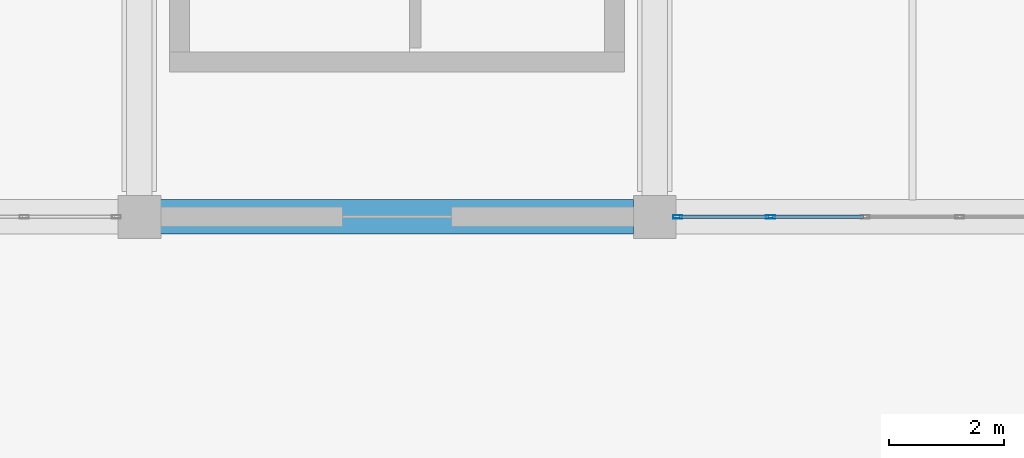
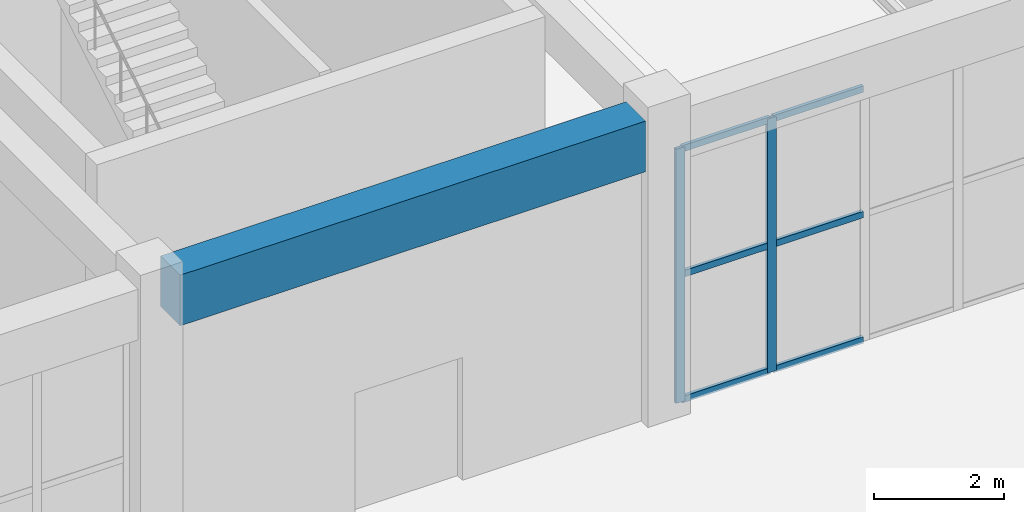
# One storey, part 33 of 91: 8 members, 1 beam, 1 element without a shape of its own.
"""IFC4 building model written with IfcOpenShell, lengths in metres."""

import ifcopenshell
import ifcopenshell.guid

model = None  # the IFC model being written
_history = None  # IfcOwnerHistory: only IFC2X3 demands one
_inside = {}  # id of a spatial element -> (the spatial element, [elements in it])
_under = {}  # id of a project, library or spatial element -> (it, [spatial elements below it])
_declared = {}  # id of a project -> (the project, [libraries it declares])
_typed = {}  # id of a type object -> (the type object, [elements of that type])
_made_of = {}  # id of a material, layer set ... -> (it, [elements and type objects made of it])


def new_model(schema):
    """Start an empty IFC model of exactly this schema.

    Asked for "IFC4X3", IfcOpenShell would pick the latest addendum, in which some entities
    have other attributes; the version numbers below select the first issue.
    IFC2X3 requires an IfcOwnerHistory on every rooted entity: one is made here for all.
    """
    global model, _history
    if schema == "IFC4X3":
        model = ifcopenshell.file(schema_version=(4, 3, 0, 0))
    else:
        model = ifcopenshell.file(schema=schema)
    _inside.clear()
    _under.clear()
    _declared.clear()
    _typed.clear()
    _made_of.clear()
    _history = None
    if model.schema == "IFC2X3":
        org = make("IfcOrganization", Name="unknown")
        user = make(
            "IfcPersonAndOrganization",
            ThePerson=make("IfcPerson", FamilyName="unknown"),
            TheOrganization=org,
        )
        app = make(
            "IfcApplication",
            ApplicationDeveloper=org,
            Version="unknown",
            ApplicationFullName="unknown",
            ApplicationIdentifier="unknown",
        )
        _history = make(
            "IfcOwnerHistory",
            OwningUser=user,
            OwningApplication=app,
            ChangeAction="ADDED",
            CreationDate=0,
        )
    return model


def make(cls, **values):
    """One entity of the class cls with the attributes given. An attribute that is None is left unset."""
    return model.create_entity(
        cls, **{name: value for name, value in values.items() if value is not None}
    )


def rooted(cls, **values):
    """An entity with a GlobalId (a new one), such as an element, a storey or a relation."""
    return make(cls, GlobalId=ifcopenshell.guid.new(), OwnerHistory=_history, **values)


def si_unit(unit_type, name, prefix=None):
    """IfcSIUnit, for example si_unit("LENGTHUNIT", "METRE", prefix="MILLI")."""
    return make("IfcSIUnit", UnitType=unit_type, Prefix=prefix, Name=name)


def assignment(units):
    """IfcUnitAssignment: the units of a project."""
    return None if units is None else make("IfcUnitAssignment", Units=units)


def point(xyz):
    """IfcCartesianPoint."""
    return None if xyz is None else make("IfcCartesianPoint", Coordinates=xyz)


def direction(xyz):
    """IfcDirection."""
    return None if xyz is None else make("IfcDirection", DirectionRatios=xyz)


def frame(location, z_axis=None, x_axis=None):
    """IfcAxis2Placement3D, a coordinate frame: its origin and axes. An axis left out is left unset."""
    return make(
        "IfcAxis2Placement3D",
        Location=point(location),
        Axis=direction(z_axis),
        RefDirection=direction(x_axis),
    )


def frame_2d(location, x_axis=None):
    """IfcAxis2Placement2D, a coordinate frame in the plane: its origin and x axis."""
    return make(
        "IfcAxis2Placement2D", Location=point(location), RefDirection=direction(x_axis)
    )


def origin():
    """The frame at (0, 0, 0) with its axes left unset."""
    return frame((0.0, 0.0, 0.0))


def origin_2d():
    """The frame at (0, 0) in the plane with its x axis left unset."""
    return frame_2d((0.0, 0.0))


def place(relative_to, where):
    """IfcLocalPlacement: puts the frame where relative to a parent placement (None: the world)."""
    return make(
        "IfcLocalPlacement", PlacementRelTo=relative_to, RelativePlacement=where
    )


def context(
    kind, dimensions, precision=None, world=None, true_north=None, identifier=None
):
    """IfcGeometricRepresentationContext, for example the 3D "Model" context."""
    return make(
        "IfcGeometricRepresentationContext",
        ContextIdentifier=identifier,
        ContextType=kind,
        CoordinateSpaceDimension=dimensions,
        Precision=precision,
        WorldCoordinateSystem=world,
        TrueNorth=true_north,
    )


def subcontext(parent, identifier, kind, view, scale=None):
    """IfcGeometricRepresentationSubContext, for example "Body" below "Model"."""
    return make(
        "IfcGeometricRepresentationSubContext",
        ContextIdentifier=identifier,
        ContextType=kind,
        ParentContext=parent,
        TargetScale=scale,
        TargetView=view,
    )


def project(units=None, contexts=None):
    """IfcProject with its units and contexts."""
    return rooted(
        "IfcProject",
        Name="project",
        RepresentationContexts=contexts,
        UnitsInContext=assignment(units),
    )


def spatial(cls, under=None, at=None, **own):
    """A site, building, storey or space (cls), placed at a placement, below another one or the project."""
    s = rooted(cls, ObjectPlacement=at, **own)
    if under is not None:
        _under.setdefault(under.id(), (under, []))[1].append(s)
    return s


def profile(cls, at=None, kind="AREA", **sizes):
    """A parametric profile (cls). Its sizes go by their IFC names, for example OverallWidth=200.0."""
    return make(cls, ProfileType=kind, Position=at, **sizes)


def rectangle(**sizes):
    """IfcRectangleProfileDef."""
    return profile("IfcRectangleProfileDef", **sizes)


def hollow_rectangle(**sizes):
    """IfcRectangleHollowProfileDef."""
    return profile("IfcRectangleHollowProfileDef", **sizes)


def extrude(swept, where, along, depth):
    """IfcExtrudedAreaSolid: the profile swept, set in the frame where, extruded along a direction by depth."""
    return make(
        "IfcExtrudedAreaSolid",
        SweptArea=swept,
        Position=where,
        ExtrudedDirection=direction(along),
        Depth=depth,
    )


def shape(context_of_items, identifier, shape_type, items):
    """IfcShapeRepresentation: the items that make up one representation, for example the "Body"."""
    return make(
        "IfcShapeRepresentation",
        ContextOfItems=context_of_items,
        RepresentationIdentifier=identifier,
        RepresentationType=shape_type,
        Items=items,
    )


def material(Name=None, Category=None):
    """IfcMaterial."""
    return make("IfcMaterial", Name=Name, Category=Category)


def layer(
    of_material, thickness, ventilated=None, Name=None, Category=None, Priority=None
):
    """IfcMaterialLayer: one layer of a wall or slab, of a material (None: an air gap)."""
    return make(
        "IfcMaterialLayer",
        Material=of_material,
        LayerThickness=thickness,
        IsVentilated=ventilated,
        Name=Name,
        Category=Category,
        Priority=Priority,
    )


def layer_set(layers, Name=None):
    """IfcMaterialLayerSet."""
    return make("IfcMaterialLayerSet", MaterialLayers=layers, LayerSetName=Name)


def material_profile(
    of_material, cross_section, Name=None, Category=None, Priority=None
):
    """IfcMaterialProfile: a cross section and its material."""
    return make(
        "IfcMaterialProfile",
        Name=Name,
        Material=of_material,
        Profile=cross_section,
        Priority=Priority,
        Category=Category,
    )


def profile_set(profiles, Name=None, composite=None):
    """IfcMaterialProfileSet."""
    return make(
        "IfcMaterialProfileSet",
        Name=Name,
        MaterialProfiles=profiles,
        CompositeProfile=composite,
    )


def made_of(thing, what):
    """Note that an element or type object is made of a material, layer set ...; save() writes the relation."""
    if what is not None:
        _made_of.setdefault(what.id(), (what, []))[1].append(thing)
    return thing


def type_object(cls, material=None, **own):
    """A type object (cls), such as IfcWallType, which elements share."""
    return made_of(rooted(cls, **own), material)


def element(
    cls,
    number,
    at=None,
    inside=None,
    cuts=None,
    type_object=None,
    material=None,
    context=None,
    identifier="Body",
    shape_type=None,
    held_by="IfcProductDefinitionShape",
    body=None,
    shapes=None,
    **own,
):
    """One element of the class cls, such as IfcWall. Its Tag is "e" and its number.

    at: its placement. inside: the storey or other place that contains it. cuts: it is an
    opening in that element (IfcRelVoidsElement). A single representation is given by context,
    identifier, shape_type and body (its items); several are given by shapes. held_by: the class
    of the entity that holds the representations. save() writes the other relations.
    """
    e = rooted(cls, Tag="e%d" % number, ObjectPlacement=at, **own)
    if body is not None:
        shapes = [shape(context, identifier, shape_type, body)]
    if shapes is not None:
        e.Representation = make(held_by, Representations=shapes)
    if inside is not None:
        _inside.setdefault(inside.id(), (inside, []))[1].append(e)
    if cuts is not None:
        rooted(
            "IfcRelVoidsElement", RelatingBuildingElement=cuts, RelatedOpeningElement=e
        )
    if type_object is not None:
        _typed.setdefault(type_object.id(), (type_object, []))[1].append(e)
    return made_of(e, material)


def aggregate(whole, parts):
    """IfcRelAggregates: a whole, such as a stair, and the parts it consists of."""
    return rooted("IfcRelAggregates", RelatingObject=whole, RelatedObjects=parts)


def save(model, path):
    """Write the relations noted so far, then the file.

    IfcRelAggregates (storeys below a building ...), IfcRelContainedInSpatialStructure (elements
    in a storey), IfcRelDefinesByType, IfcRelAssociatesMaterial and IfcRelDeclares: one each for
    every whole, place, type object, material and project.
    """
    for whole, parts in _under.values():
        aggregate(whole, parts)
    for where, things in _inside.values():
        rooted(
            "IfcRelContainedInSpatialStructure",
            RelatedElements=things,
            RelatingStructure=where,
        )
    for kind, things in _typed.values():
        rooted("IfcRelDefinesByType", RelatedObjects=things, RelatingType=kind)
    for what, things in _made_of.values():
        rooted("IfcRelAssociatesMaterial", RelatedObjects=things, RelatingMaterial=what)
    for by, libraries in _declared.values():
        rooted("IfcRelDeclares", RelatingContext=by, RelatedDefinitions=libraries)
    model.write(path)


model = new_model("IFC4")

# Units and contexts
model_context = context("Model", 3, precision=1e-05, world=origin(), true_north=direction((0.0, 1.0)))
body_context = subcontext(model_context, "Body", "Model", "MODEL_VIEW")
ifc_project = project(units=[si_unit("LENGTHUNIT", "METRE"), si_unit("AREAUNIT", "SQUARE_METRE"), si_unit("VOLUMEUNIT", "CUBIC_METRE"), si_unit("PLANEANGLEUNIT", "RADIAN"), si_unit("MASSUNIT", "GRAM", prefix="KILO")], contexts=[model_context])

# Site, building, storey
site_placement = place(None, origin())
site = spatial("IfcSite", under=ifc_project, at=site_placement, CompositionType="ELEMENT")
building_placement = place(site_placement, origin())
building = spatial("IfcBuilding", under=site, at=building_placement, Name="Dornveld Trade and Exhibition Forum", CompositionType="ELEMENT")
storey_placement = place(building_placement, origin())
storey = spatial("IfcBuildingStorey", under=building, at=storey_placement, Name="L00", CompositionType="ELEMENT", Elevation=0.0)

# Beam
ifc_material_1 = material(Name="Precast concrete C50/60", Category="concrete")
ifc_material_profile_1 = material_profile(ifc_material_1, rectangle(XDim=0.60009765625, YDim=0.949951171875, at=origin_2d()), Name="PC-GIR 600x950")
ifc_profile_set_1 = profile_set([ifc_material_profile_1], Name="Precast concrete C50/60")
beam_type = type_object("IfcBeamType", Name="BM-PC-600x950", PredefinedType="T_BEAM", material=ifc_profile_set_1)
beam_placement = place(storey_placement, frame((180.37109375, 108.0, 5.22509765625), z_axis=(1.0, 0.0, 0.0), x_axis=(0.0, 1.0, 0.0)))
element("IfcBeam", 1, at=beam_placement, inside=storey, type_object=beam_type, Name="L00 X-girder 956", PredefinedType="T_BEAM", context=body_context, shape_type="SweptSolid", body=[
    extrude(rectangle(XDim=0.60009765625, YDim=0.949951171875, at=origin_2d()), origin(), (0.0, 0.0, 1.0), 8.2578125),
])

# Curtain wall, members
ifc_material_2 = material(Name="Dark-bronze anodised aluminium and low-E glass", Category="aluminium")
ifc_layer = layer(ifc_material_2, 0.1630859375)
ifc_layer_set = layer_set([ifc_layer], Name="Dark-bronze anodised aluminium and low-E glass")
curtain_wall_type = type_object("IfcCurtainWallType", Name="CW-SYS-07", PredefinedType="USERDEFINED", material=ifc_layer_set)
curtain_wall_placement = place(storey_placement, origin())
curtain_wall = element("IfcCurtainWall", 2, at=curtain_wall_placement, inside=storey, type_object=curtain_wall_type, Name="L00 unitised curtain wall 97", ObjectType="UNITISED_CURTAIN_WALL", PredefinedType="USERDEFINED")
ifc_material_3 = material(Name="Dark-bronze anodised aluminium", Category="aluminium")
ifc_material_profile_2 = material_profile(ifc_material_3, hollow_rectangle(XDim=0.06005859375, YDim=0.159912109375, WallThickness=0.00390625, at=origin_2d()), Name="RHS 160x60x4")
ifc_profile_set_2 = profile_set([ifc_material_profile_2], Name="Dark-bronze anodised aluminium")
member_type_1 = type_object("IfcMemberType", Name="CW-MUL-160", PredefinedType="MULLION", material=ifc_profile_set_2)
member_1_placement = place(storey_placement, frame((189.40087890625, 108.0, -0.00390625), z_axis=(0.0, 0.0, 1.0), x_axis=(0.0, 1.0, 0.0)))
member_1 = element("IfcMember", 3, at=member_1_placement, type_object=member_type_1, Name="CW-07 mullion 1", PredefinedType="MULLION", context=body_context, shape_type="SweptSolid", body=[
    extrude(hollow_rectangle(XDim=0.06005859375, YDim=0.159912109375, WallThickness=0.00390625, at=origin_2d()), origin(), (0.0, 0.0, 1.0), 4.763916015625),
])
member_2_placement = place(storey_placement, frame((191.022705078125, 108.0, -0.00390625), z_axis=(0.0, 0.0, 1.0), x_axis=(0.0, 1.0, 0.0)))
member_2 = element("IfcMember", 4, at=member_2_placement, type_object=member_type_1, Name="CW-07 mullion 2", PredefinedType="MULLION", context=body_context, shape_type="SweptSolid", body=[
    extrude(hollow_rectangle(XDim=0.06005859375, YDim=0.159912109375, WallThickness=0.00390625, at=origin_2d()), origin(), (0.0, 0.0, 1.0), 4.763916015625),
])
ifc_material_4 = material(Name="Dark-bronze anodised aluminium", Category="aluminium")
ifc_material_profile_3 = material_profile(ifc_material_4, hollow_rectangle(XDim=0.06005859375, YDim=0.1201171875, WallThickness=0.00390625, at=origin_2d()), Name="RHS 120x60x4")
ifc_profile_set_3 = profile_set([ifc_material_profile_3], Name="Dark-bronze anodised aluminium")
member_type_2 = type_object("IfcMemberType", Name="CW-TRN-120", PredefinedType="USERDEFINED", material=ifc_profile_set_3)
member_3_placement = place(storey_placement, frame((189.430908203125, 108.0, 0.02587890625), z_axis=(1.0, 0.0, 0.0), x_axis=(0.0, 1.0, 0.0)))
member_3 = element("IfcMember", 5, at=member_3_placement, type_object=member_type_2, Name="CW-07 transom 1.1", ObjectType="TRANSOM", PredefinedType="USERDEFINED", context=body_context, shape_type="SweptSolid", body=[
    extrude(hollow_rectangle(XDim=0.06005859375, YDim=0.1201171875, WallThickness=0.00390625, at=origin_2d()), origin(), (0.0, 0.0, 1.0), 1.561767578125),
])
member_4_placement = place(storey_placement, frame((189.430908203125, 108.0, 2.3779296875), z_axis=(1.0, 0.0, 0.0), x_axis=(0.0, 1.0, 0.0)))
member_4 = element("IfcMember", 6, at=member_4_placement, type_object=member_type_2, Name="CW-07 transom 1.2", ObjectType="TRANSOM", PredefinedType="USERDEFINED", context=body_context, shape_type="SweptSolid", body=[
    extrude(hollow_rectangle(XDim=0.06005859375, YDim=0.1201171875, WallThickness=0.00390625, at=origin_2d()), origin(), (0.0, 0.0, 1.0), 1.561767578125),
])
member_5_placement = place(storey_placement, frame((189.430908203125, 108.0, 4.72998046875), z_axis=(1.0, 0.0, 0.0), x_axis=(0.0, 1.0, 0.0)))
member_5 = element("IfcMember", 7, at=member_5_placement, type_object=member_type_2, Name="CW-07 transom 1.3", ObjectType="TRANSOM", PredefinedType="USERDEFINED", context=body_context, shape_type="SweptSolid", body=[
    extrude(hollow_rectangle(XDim=0.06005859375, YDim=0.1201171875, WallThickness=0.00390625, at=origin_2d()), origin(), (0.0, 0.0, 1.0), 1.561767578125),
])
member_6_placement = place(storey_placement, frame((191.052490234375, 108.0, 0.02587890625), z_axis=(1.0, 0.0, 0.0), x_axis=(0.0, 1.0, 0.0)))
member_6 = element("IfcMember", 8, at=member_6_placement, type_object=member_type_2, Name="CW-07 transom 2.1", ObjectType="TRANSOM", PredefinedType="USERDEFINED", context=body_context, shape_type="SweptSolid", body=[
    extrude(hollow_rectangle(XDim=0.06005859375, YDim=0.1201171875, WallThickness=0.00390625, at=origin_2d()), origin(), (0.0, 0.0, 1.0), 1.591796875),
])
member_7_placement = place(storey_placement, frame((191.052490234375, 108.0, 2.3779296875), z_axis=(1.0, 0.0, 0.0), x_axis=(0.0, 1.0, 0.0)))
member_7 = element("IfcMember", 9, at=member_7_placement, type_object=member_type_2, Name="CW-07 transom 2.2", ObjectType="TRANSOM", PredefinedType="USERDEFINED", context=body_context, shape_type="SweptSolid", body=[
    extrude(hollow_rectangle(XDim=0.06005859375, YDim=0.1201171875, WallThickness=0.00390625, at=origin_2d()), origin(), (0.0, 0.0, 1.0), 1.591796875),
])
member_8_placement = place(storey_placement, frame((191.052490234375, 108.0, 4.72998046875), z_axis=(1.0, 0.0, 0.0), x_axis=(0.0, 1.0, 0.0)))
member_8 = element("IfcMember", 10, at=member_8_placement, type_object=member_type_2, Name="CW-07 transom 2.3", ObjectType="TRANSOM", PredefinedType="USERDEFINED", context=body_context, shape_type="SweptSolid", body=[
    extrude(hollow_rectangle(XDim=0.06005859375, YDim=0.1201171875, WallThickness=0.00390625, at=origin_2d()), origin(), (0.0, 0.0, 1.0), 1.591796875),
])
aggregate(curtain_wall, [member_1, member_2, member_3, member_4, member_5, member_6, member_7, member_8])

save(model, "model.ifc")
